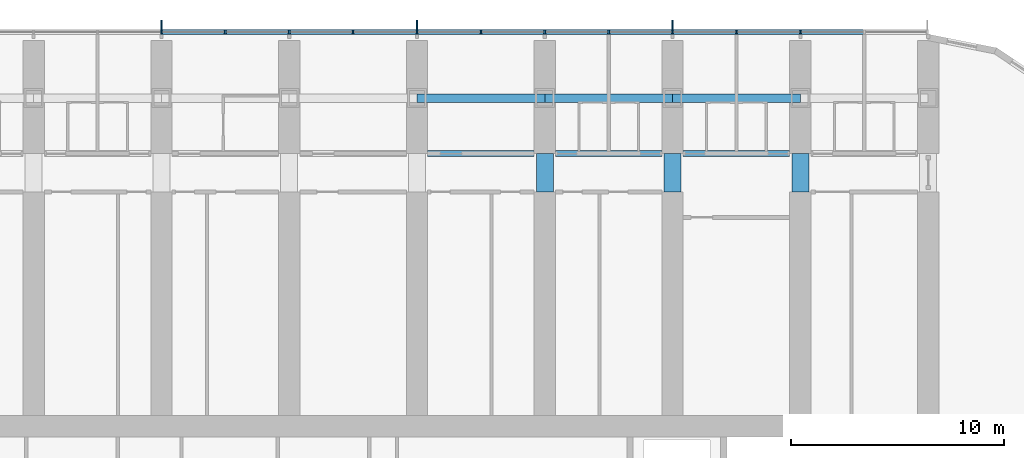
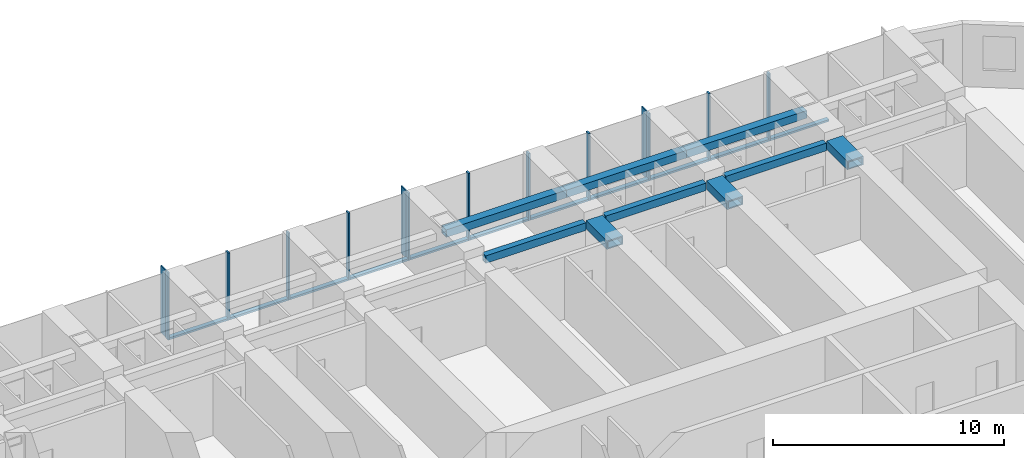
# One storey, part 5 of 24: 25 members, 9 beams, 1 element without a shape of its own.
"""IFC4 building model written with IfcOpenShell, lengths in metres."""

from ifc_helpers import new_model, si_unit, direction, frame, origin, origin_2d, place, context, subcontext, project, spatial, rectangle, hollow_rectangle, extrude, material, material_profile, profile_set, type_object, element, aggregate, save


model = new_model("IFC4")

# Units and contexts
model_context = context("Model", 3, precision=1e-05, world=origin(), true_north=direction((0.0, 1.0)))
body_context = subcontext(model_context, "Body", "Model", "MODEL_VIEW")
ifc_project = project(units=[si_unit("LENGTHUNIT", "METRE"), si_unit("AREAUNIT", "SQUARE_METRE"), si_unit("VOLUMEUNIT", "CUBIC_METRE"), si_unit("PLANEANGLEUNIT", "RADIAN"), si_unit("MASSUNIT", "GRAM", prefix="KILO")], contexts=[model_context])

# Site, building, storey
site_placement = place(None, origin())
site = spatial("IfcSite", under=ifc_project, at=site_placement, CompositionType="ELEMENT")
building_placement = place(site_placement, origin())
building = spatial("IfcBuilding", under=site, at=building_placement, Name="Orbita Commons", CompositionType="ELEMENT")
storey_placement = place(building_placement, frame((0.0, 0.0, 35.199951171875)))
storey = spatial("IfcBuildingStorey", under=building, at=storey_placement, Name="L08", CompositionType="ELEMENT", Elevation=35.199951171875)

# Curtain wall, members
ifc_material_1 = material(Name="Anodised aluminium frame, pale silver", Category="aluminium")
curtain_wall_type = type_object("IfcCurtainWallType", Name="Unitised curtain wall CW-T, vision and spandrel", PredefinedType="NOTDEFINED", material=ifc_material_1)
curtain_wall_placement = place(storey_placement, origin())
curtain_wall = element("IfcCurtainWall", 1, at=curtain_wall_placement, inside=storey, type_object=curtain_wall_type, Name="Curtain wall north L08", PredefinedType="NOTDEFINED")
ifc_material_2 = material(Name="Anodised aluminium, pale silver", Category="aluminium")
ifc_material_profile_1 = material_profile(ifc_material_2, rectangle(XDim=0.080078125, YDim=0.219970703125, at=origin_2d()), Name="AL 80x220")
ifc_profile_set_1 = profile_set([ifc_material_profile_1], Name="Anodised aluminium, pale silver")
member_type_1 = type_object("IfcMemberType", Name="Curtain wall mullion 80x220", PredefinedType="MULLION", material=ifc_profile_set_1)
member_1_placement = place(storey_placement, frame((66.0, 56.7099609375, -0.25), z_axis=(0.0, 0.0, 1.0), x_axis=(-1.0, 0.0, 0.0)))
member_1 = element("IfcMember", 2, at=member_1_placement, type_object=member_type_1, Name="Mullion 3 CW-L08-N", PredefinedType="MULLION", context=body_context, shape_type="SweptSolid", body=[
    extrude(rectangle(XDim=0.080078125, YDim=0.219970703125, at=origin_2d()), origin(), (0.0, 0.0, 1.0), 3.550048828125),
])
member_2_placement = place(storey_placement, frame((63.0, 56.7099609375, -0.25), z_axis=(0.0, 0.0, 1.0), x_axis=(-1.0, 0.0, 0.0)))
member_2 = element("IfcMember", 3, at=member_2_placement, type_object=member_type_1, Name="Mullion 4 CW-L08-N", PredefinedType="MULLION", context=body_context, shape_type="SweptSolid", body=[
    extrude(rectangle(XDim=0.080078125, YDim=0.219970703125, at=origin_2d()), origin(), (0.0, 0.0, 1.0), 3.550048828125),
])
member_3_placement = place(storey_placement, frame((60.0, 56.7099609375, -0.25), z_axis=(0.0, 0.0, 1.0), x_axis=(-1.0, 0.0, 0.0)))
member_3 = element("IfcMember", 4, at=member_3_placement, type_object=member_type_1, Name="Mullion 5 CW-L08-N", PredefinedType="MULLION", context=body_context, shape_type="SweptSolid", body=[
    extrude(rectangle(XDim=0.080078125, YDim=0.219970703125, at=origin_2d()), origin(), (0.0, 0.0, 1.0), 3.550048828125),
])
member_4_placement = place(storey_placement, frame((57.0, 56.7099609375, -0.25), z_axis=(0.0, 0.0, 1.0), x_axis=(-1.0, 0.0, 0.0)))
member_4 = element("IfcMember", 5, at=member_4_placement, type_object=member_type_1, Name="Mullion 6 CW-L08-N", PredefinedType="MULLION", context=body_context, shape_type="SweptSolid", body=[
    extrude(rectangle(XDim=0.080078125, YDim=0.219970703125, at=origin_2d()), origin(), (0.0, 0.0, 1.0), 3.550048828125),
])
member_5_placement = place(storey_placement, frame((54.0, 56.7099609375, -0.25), z_axis=(0.0, 0.0, 1.0), x_axis=(-1.0, 0.0, 0.0)))
member_5 = element("IfcMember", 6, at=member_5_placement, type_object=member_type_1, Name="Mullion 7 CW-L08-N", PredefinedType="MULLION", context=body_context, shape_type="SweptSolid", body=[
    extrude(rectangle(XDim=0.080078125, YDim=0.219970703125, at=origin_2d()), origin(), (0.0, 0.0, 1.0), 3.550048828125),
])
member_6_placement = place(storey_placement, frame((51.0, 56.7099609375, -0.25), z_axis=(0.0, 0.0, 1.0), x_axis=(-1.0, 0.0, 0.0)))
member_6 = element("IfcMember", 7, at=member_6_placement, type_object=member_type_1, Name="Mullion 8 CW-L08-N", PredefinedType="MULLION", context=body_context, shape_type="SweptSolid", body=[
    extrude(rectangle(XDim=0.080078125, YDim=0.219970703125, at=origin_2d()), origin(), (0.0, 0.0, 1.0), 3.550048828125),
])
member_7_placement = place(storey_placement, frame((48.0, 56.7099609375, -0.25), z_axis=(0.0, 0.0, 1.0), x_axis=(-1.0, 0.0, 0.0)))
member_7 = element("IfcMember", 8, at=member_7_placement, type_object=member_type_1, Name="Mullion 9 CW-L08-N", PredefinedType="MULLION", context=body_context, shape_type="SweptSolid", body=[
    extrude(rectangle(XDim=0.080078125, YDim=0.219970703125, at=origin_2d()), origin(), (0.0, 0.0, 1.0), 3.550048828125),
])
member_8_placement = place(storey_placement, frame((45.0, 56.7099609375, -0.25), z_axis=(0.0, 0.0, 1.0), x_axis=(-1.0, 0.0, 0.0)))
member_8 = element("IfcMember", 9, at=member_8_placement, type_object=member_type_1, Name="Mullion 10 CW-L08-N", PredefinedType="MULLION", context=body_context, shape_type="SweptSolid", body=[
    extrude(rectangle(XDim=0.080078125, YDim=0.219970703125, at=origin_2d()), origin(), (0.0, 0.0, 1.0), 3.550048828125),
])
member_9_placement = place(storey_placement, frame((42.0, 56.7099609375, -0.25), z_axis=(0.0, 0.0, 1.0), x_axis=(-1.0, 0.0, 0.0)))
member_9 = element("IfcMember", 10, at=member_9_placement, type_object=member_type_1, Name="Mullion 11 CW-L08-N", PredefinedType="MULLION", context=body_context, shape_type="SweptSolid", body=[
    extrude(rectangle(XDim=0.080078125, YDim=0.219970703125, at=origin_2d()), origin(), (0.0, 0.0, 1.0), 3.550048828125),
])
member_10_placement = place(storey_placement, frame((39.0, 56.7099609375, -0.25), z_axis=(0.0, 0.0, 1.0), x_axis=(-1.0, 0.0, 0.0)))
member_10 = element("IfcMember", 11, at=member_10_placement, type_object=member_type_1, Name="Mullion 12 CW-L08-N", PredefinedType="MULLION", context=body_context, shape_type="SweptSolid", body=[
    extrude(rectangle(XDim=0.080078125, YDim=0.219970703125, at=origin_2d()), origin(), (0.0, 0.0, 1.0), 3.550048828125),
])
member_11_placement = place(storey_placement, frame((36.0, 56.7099609375, -0.25), z_axis=(0.0, 0.0, 1.0), x_axis=(-1.0, 0.0, 0.0)))
member_11 = element("IfcMember", 12, at=member_11_placement, type_object=member_type_1, Name="Mullion 13 CW-L08-N", PredefinedType="MULLION", context=body_context, shape_type="SweptSolid", body=[
    extrude(rectangle(XDim=0.080078125, YDim=0.219970703125, at=origin_2d()), origin(), (0.0, 0.0, 1.0), 3.550048828125),
])
ifc_material_3 = material(Name="Anodised aluminium, pale silver", Category="aluminium")
ifc_material_profile_2 = material_profile(ifc_material_3, rectangle(XDim=0.219970703125, YDim=0.10009765625, at=origin_2d()), Name="AL 220x100")
ifc_profile_set_2 = profile_set([ifc_material_profile_2], Name="Anodised aluminium, pale silver")
member_type_2 = type_object("IfcMemberType", Name="Curtain wall stack transom 220x100", PredefinedType="USERDEFINED", material=ifc_profile_set_2)
member_12_placement = place(storey_placement, frame((68.9599609375, 56.7099609375, -0.199951171875), z_axis=(-1.0, 0.0, 0.0), x_axis=(0.0, -1.0, 0.0)))
member_12 = element("IfcMember", 13, at=member_12_placement, type_object=member_type_2, Name="Transom 2.1 CW-L08-N", ObjectType="TRANSOM", PredefinedType="USERDEFINED", context=body_context, shape_type="SweptSolid", body=[
    extrude(rectangle(XDim=0.219970703125, YDim=0.10009765625, at=origin_2d()), origin(), (0.0, 0.0, 1.0), 2.919921875),
])
member_13_placement = place(storey_placement, frame((65.9599609375, 56.7099609375, -0.199951171875), z_axis=(-1.0, 0.0, 0.0), x_axis=(0.0, -1.0, 0.0)))
member_13 = element("IfcMember", 14, at=member_13_placement, type_object=member_type_2, Name="Transom 3.1 CW-L08-N", ObjectType="TRANSOM", PredefinedType="USERDEFINED", context=body_context, shape_type="SweptSolid", body=[
    extrude(rectangle(XDim=0.219970703125, YDim=0.10009765625, at=origin_2d()), origin(), (0.0, 0.0, 1.0), 2.919921875),
])
member_14_placement = place(storey_placement, frame((62.9599609375, 56.7099609375, -0.199951171875), z_axis=(-1.0, 0.0, 0.0), x_axis=(0.0, -1.0, 0.0)))
member_14 = element("IfcMember", 15, at=member_14_placement, type_object=member_type_2, Name="Transom 4.1 CW-L08-N", ObjectType="TRANSOM", PredefinedType="USERDEFINED", context=body_context, shape_type="SweptSolid", body=[
    extrude(rectangle(XDim=0.219970703125, YDim=0.10009765625, at=origin_2d()), origin(), (0.0, 0.0, 1.0), 2.919921875),
])
member_15_placement = place(storey_placement, frame((59.9599609375, 56.7099609375, -0.199951171875), z_axis=(-1.0, 0.0, 0.0), x_axis=(0.0, -1.0, 0.0)))
member_15 = element("IfcMember", 16, at=member_15_placement, type_object=member_type_2, Name="Transom 5.1 CW-L08-N", ObjectType="TRANSOM", PredefinedType="USERDEFINED", context=body_context, shape_type="SweptSolid", body=[
    extrude(rectangle(XDim=0.219970703125, YDim=0.10009765625, at=origin_2d()), origin(), (0.0, 0.0, 1.0), 2.919921875),
])
member_16_placement = place(storey_placement, frame((56.9599609375, 56.7099609375, -0.199951171875), z_axis=(-1.0, 0.0, 0.0), x_axis=(0.0, -1.0, 0.0)))
member_16 = element("IfcMember", 17, at=member_16_placement, type_object=member_type_2, Name="Transom 6.1 CW-L08-N", ObjectType="TRANSOM", PredefinedType="USERDEFINED", context=body_context, shape_type="SweptSolid", body=[
    extrude(rectangle(XDim=0.219970703125, YDim=0.10009765625, at=origin_2d()), origin(), (0.0, 0.0, 1.0), 2.919921875),
])
member_17_placement = place(storey_placement, frame((53.9599609375, 56.7099609375, -0.199951171875), z_axis=(-1.0, 0.0, 0.0), x_axis=(0.0, -1.0, 0.0)))
member_17 = element("IfcMember", 18, at=member_17_placement, type_object=member_type_2, Name="Transom 7.1 CW-L08-N", ObjectType="TRANSOM", PredefinedType="USERDEFINED", context=body_context, shape_type="SweptSolid", body=[
    extrude(rectangle(XDim=0.219970703125, YDim=0.10009765625, at=origin_2d()), origin(), (0.0, 0.0, 1.0), 2.919921875),
])
member_18_placement = place(storey_placement, frame((50.9599609375, 56.7099609375, -0.199951171875), z_axis=(-1.0, 0.0, 0.0), x_axis=(0.0, -1.0, 0.0)))
member_18 = element("IfcMember", 19, at=member_18_placement, type_object=member_type_2, Name="Transom 8.1 CW-L08-N", ObjectType="TRANSOM", PredefinedType="USERDEFINED", context=body_context, shape_type="SweptSolid", body=[
    extrude(rectangle(XDim=0.219970703125, YDim=0.10009765625, at=origin_2d()), origin(), (0.0, 0.0, 1.0), 2.919921875),
])
member_19_placement = place(storey_placement, frame((47.9599609375, 56.7099609375, -0.199951171875), z_axis=(-1.0, 0.0, 0.0), x_axis=(0.0, -1.0, 0.0)))
member_19 = element("IfcMember", 20, at=member_19_placement, type_object=member_type_2, Name="Transom 9.1 CW-L08-N", ObjectType="TRANSOM", PredefinedType="USERDEFINED", context=body_context, shape_type="SweptSolid", body=[
    extrude(rectangle(XDim=0.219970703125, YDim=0.10009765625, at=origin_2d()), origin(), (0.0, 0.0, 1.0), 2.919921875),
])
member_20_placement = place(storey_placement, frame((44.9599609375, 56.7099609375, -0.199951171875), z_axis=(-1.0, 0.0, 0.0), x_axis=(0.0, -1.0, 0.0)))
member_20 = element("IfcMember", 21, at=member_20_placement, type_object=member_type_2, Name="Transom 10.1 CW-L08-N", ObjectType="TRANSOM", PredefinedType="USERDEFINED", context=body_context, shape_type="SweptSolid", body=[
    extrude(rectangle(XDim=0.219970703125, YDim=0.10009765625, at=origin_2d()), origin(), (0.0, 0.0, 1.0), 2.919921875),
])
member_21_placement = place(storey_placement, frame((41.9599609375, 56.7099609375, -0.199951171875), z_axis=(-1.0, 0.0, 0.0), x_axis=(0.0, -1.0, 0.0)))
member_21 = element("IfcMember", 22, at=member_21_placement, type_object=member_type_2, Name="Transom 11.1 CW-L08-N", ObjectType="TRANSOM", PredefinedType="USERDEFINED", context=body_context, shape_type="SweptSolid", body=[
    extrude(rectangle(XDim=0.219970703125, YDim=0.10009765625, at=origin_2d()), origin(), (0.0, 0.0, 1.0), 2.919921875),
])
member_22_placement = place(storey_placement, frame((38.9599609375, 56.7099609375, -0.199951171875), z_axis=(-1.0, 0.0, 0.0), x_axis=(0.0, -1.0, 0.0)))
member_22 = element("IfcMember", 23, at=member_22_placement, type_object=member_type_2, Name="Transom 12.1 CW-L08-N", ObjectType="TRANSOM", PredefinedType="USERDEFINED", context=body_context, shape_type="SweptSolid", body=[
    extrude(rectangle(XDim=0.219970703125, YDim=0.10009765625, at=origin_2d()), origin(), (0.0, 0.0, 1.0), 2.919921875),
])

# Beams
ifc_material_4 = material(Name="Steel ASTM A572 Gr 50 welded plate", Category="steel")
ifc_material_profile_3 = material_profile(ifc_material_4, hollow_rectangle(XDim=0.300048828125, YDim=0.39990234375, WallThickness=0.0400390625, at=origin_2d()), Name="BOX 400x300x40")
ifc_profile_set_3 = profile_set([ifc_material_profile_3], Name="Steel ASTM A572 Gr 50 welded plate")
beam_type_1 = type_object("IfcBeamType", Name="Steel corridor link BOX 400x300x40", PredefinedType="BEAM", material=ifc_profile_set_3)
for number, where, z_axis, x_axis, name in (
    (24, (48.5, 51.0, 3.10009765625), (1.0, 0.0, 0.0), (0.0, 1.0, 0.0), "Corridor beam NB 9-10 L08"),
    (25, (54.5, 51.0, 3.10009765625), (1.0, 0.0, 0.0), (0.0, 1.0, 0.0), "Corridor beam NB 10-11 L08"),
    (26, (60.5, 51.0, 3.10009765625), (1.0, 0.0, 0.0), (0.0, 1.0, 0.0), "Corridor beam NB 11-12 L08"),
):
    element("IfcBeam", number, at=place(storey_placement, frame(where, z_axis=z_axis, x_axis=x_axis)), inside=storey, type_object=beam_type_1, Name=name, PredefinedType="BEAM", context=body_context, shape_type="SweptSolid", body=[
        extrude(hollow_rectangle(XDim=0.300048828125, YDim=0.39990234375, WallThickness=0.0400390625, at=origin_2d()), origin(), (0.0, 0.0, 1.0), 5.0),
    ])
ifc_material_5 = material(Name="Steel ASTM A572 Gr 50 welded plate", Category="steel")
ifc_material_profile_4 = material_profile(ifc_material_5, hollow_rectangle(XDim=0.800048828125, YDim=0.449951171875, WallThickness=0.06005859375, at=origin_2d()), Name="BOX 450x800x60")
ifc_profile_set_4 = profile_set([ifc_material_profile_4], Name="Steel ASTM A572 Gr 50 welded plate")
beam_type_2 = type_object("IfcBeamType", Name="Steel coupling link BOX 450x800x60", PredefinedType="LINTEL", material=ifc_profile_set_4)
for number, where, z_axis, x_axis, name in (
    (27, (54.0, 49.199951171875, 3.074951171875), (0.0, 1.0, 0.0), (-1.0, 0.0, 0.0), "Coupling beam 10 north L08"),
    (28, (60.0, 49.199951171875, 3.074951171875), (0.0, 1.0, 0.0), (-1.0, 0.0, 0.0), "Coupling beam 11 north L08"),
    (29, (66.0, 49.199951171875, 3.074951171875), (0.0, 1.0, 0.0), (-1.0, 0.0, 0.0), "Coupling beam 12 north L08"),
):
    element("IfcBeam", number, at=place(storey_placement, frame(where, z_axis=z_axis, x_axis=x_axis)), inside=storey, type_object=beam_type_2, Name=name, PredefinedType="LINTEL", context=body_context, shape_type="SweptSolid", body=[
        extrude(hollow_rectangle(XDim=0.800048828125, YDim=0.449951171875, WallThickness=0.06005859375, at=origin_2d()), origin(), (0.0, 0.0, 1.0), 1.800048828125),
    ])
ifc_material_6 = material(Name="Steel ASTM A572 Gr 50 welded plate", Category="steel")
ifc_material_profile_5 = material_profile(ifc_material_6, hollow_rectangle(XDim=0.39990234375, YDim=0.39990234375, WallThickness=0.0400390625, at=origin_2d()), Name="BOX 400x400x40")
ifc_profile_set_5 = profile_set([ifc_material_profile_5], Name="Steel ASTM A572 Gr 50 welded plate")
beam_type_3 = type_object("IfcBeamType", Name="Steel spandrel BOX 400x400x40", PredefinedType="SPANDREL", material=ifc_profile_set_5)
for number, where, z_axis, x_axis, name in (
    (30, (48.0, 53.60009765625, 3.10009765625), (1.0, 0.0, 0.0), (0.0, 1.0, 0.0), "Spandrel beam E 9-10 L08"),
    (31, (54.0, 53.60009765625, 3.10009765625), (1.0, 0.0, 0.0), (0.0, 1.0, 0.0), "Spandrel beam E 10-11 L08"),
    (32, (60.0, 53.60009765625, 3.10009765625), (1.0, 0.0, 0.0), (0.0, 1.0, 0.0), "Spandrel beam E 11-12 L08"),
):
    element("IfcBeam", number, at=place(storey_placement, frame(where, z_axis=z_axis, x_axis=x_axis)), inside=storey, type_object=beam_type_3, Name=name, PredefinedType="SPANDREL", context=body_context, shape_type="SweptSolid", body=[
        extrude(hollow_rectangle(XDim=0.39990234375, YDim=0.39990234375, WallThickness=0.0400390625, at=origin_2d()), origin(), (0.0, 0.0, 1.0), 6.0),
    ])

# Member
ifc_material_7 = material(Name="Anodised aluminium, pale silver", Category="aluminium")
ifc_material_profile_6 = material_profile(ifc_material_7, rectangle(XDim=0.06005859375, YDim=0.449951171875, at=origin_2d()), Name="FIN 60x450")
ifc_profile_set_6 = profile_set([ifc_material_profile_6], Name="Anodised aluminium, pale silver")
member_type_3 = type_object("IfcMemberType", Name="Vertical fin 60x450 pale aluminium", PredefinedType="USERDEFINED", material=ifc_profile_set_6)
member_23_placement = place(storey_placement, frame((60.0, 57.044921875, -0.25), z_axis=(0.0, 0.0, 1.0), x_axis=(-1.0, 0.0, 0.0)))
member_23 = element("IfcMember", 33, at=member_23_placement, type_object=member_type_3, Name="Fin 5 CW-L08-N", ObjectType="FIN", PredefinedType="USERDEFINED", context=body_context, shape_type="SweptSolid", body=[
    extrude(rectangle(XDim=0.06005859375, YDim=0.449951171875, at=origin_2d()), origin(), (0.0, 0.0, 1.0), 3.550048828125),
])

member_24_placement = place(storey_placement, frame((48.0, 57.044921875, -0.25), z_axis=(0.0, 0.0, 1.0), x_axis=(-1.0, 0.0, 0.0)))
member_24 = element("IfcMember", 34, at=member_24_placement, type_object=member_type_3, Name="Fin 9 CW-L08-N", ObjectType="FIN", PredefinedType="USERDEFINED", context=body_context, shape_type="SweptSolid", body=[
    extrude(rectangle(XDim=0.06005859375, YDim=0.449951171875, at=origin_2d()), origin(), (0.0, 0.0, 1.0), 3.550048828125),
])

member_25_placement = place(storey_placement, frame((36.0, 57.044921875, -0.25), z_axis=(0.0, 0.0, 1.0), x_axis=(-1.0, 0.0, 0.0)))
member_25 = element("IfcMember", 35, at=member_25_placement, type_object=member_type_3, Name="Fin 13 CW-L08-N", ObjectType="FIN", PredefinedType="USERDEFINED", context=body_context, shape_type="SweptSolid", body=[
    extrude(rectangle(XDim=0.06005859375, YDim=0.449951171875, at=origin_2d()), origin(), (0.0, 0.0, 1.0), 3.550048828125),
])

aggregate(curtain_wall, [member_1, member_2, member_3, member_23, member_4, member_5, member_6, member_7, member_24, member_8, member_9, member_10, member_11, member_25, member_12, member_13, member_14, member_15, member_16, member_17, member_18, member_19, member_20, member_21, member_22])

save(model, "model.ifc")
